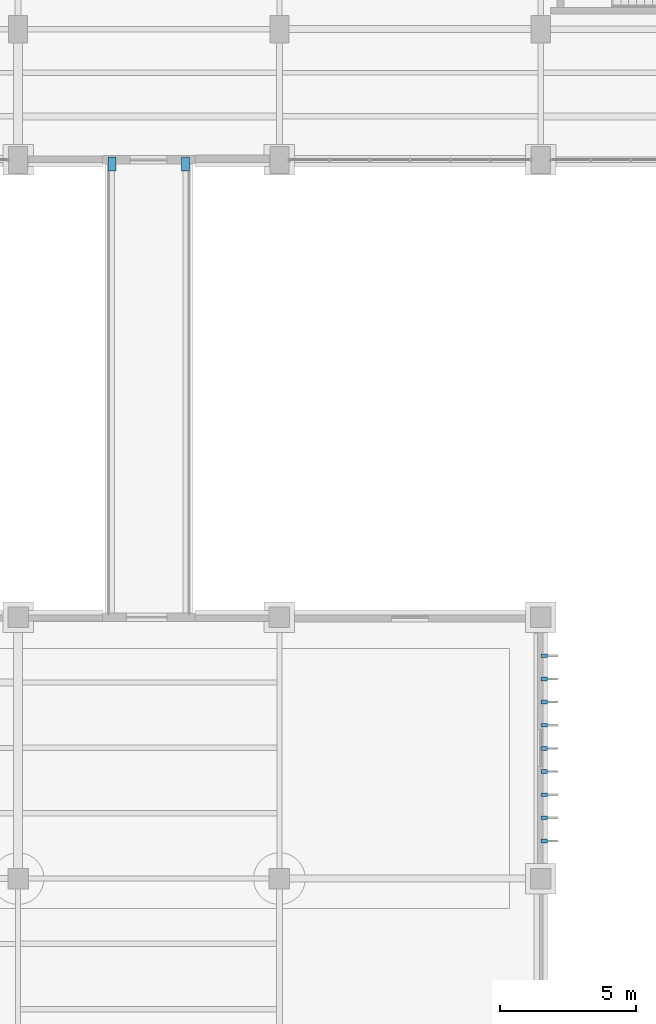
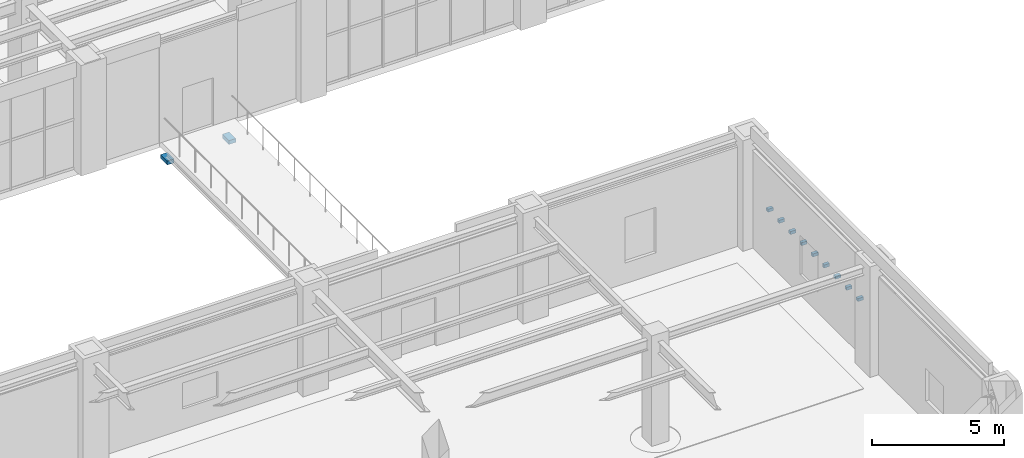
# One storey, part 152 of 174: 11 discrete accessories.
"""IFC4 building model written with IfcOpenShell, lengths in metres."""

from ifc_helpers import new_model, si_unit, direction, frame, origin, origin_2d, place, context, subcontext, project, spatial, rectangle, extrude, material, type_object, element, save


model = new_model("IFC4")

# Units and contexts
model_context = context("Model", 3, precision=1e-05, world=origin(), true_north=direction((0.0, 1.0)))
body_context = subcontext(model_context, "Body", "Model", "MODEL_VIEW")
ifc_project = project(units=[si_unit("LENGTHUNIT", "METRE"), si_unit("AREAUNIT", "SQUARE_METRE"), si_unit("VOLUMEUNIT", "CUBIC_METRE"), si_unit("PLANEANGLEUNIT", "RADIAN"), si_unit("MASSUNIT", "GRAM", prefix="KILO")], contexts=[model_context])

# Site, building, storey
site_placement = place(None, origin())
site = spatial("IfcSite", under=ifc_project, at=site_placement, CompositionType="ELEMENT")
building_placement = place(site_placement, origin())
building = spatial("IfcBuilding", under=site, at=building_placement, Name="Mavantir Sound Aquarium", CompositionType="ELEMENT")
storey_placement = place(building_placement, frame((0.0, 0.0, 5.39990234375)))
storey = spatial("IfcBuildingStorey", under=building, at=storey_placement, Name="L01", CompositionType="ELEMENT", Elevation=5.39990234375)

# Discrete accessories
ifc_material_1 = material(Name="Stainless Steel 316 Marine Facade Bracket", Category="steel")
discrete_accessory_type_1 = type_object("IfcDiscreteAccessoryType", Name="ACC-FIN-BRK", PredefinedType="BRACKET", material=ifc_material_1)
for number, where, z_axis, x_axis, name in (
    (1, (146.52001953125, 10.98291015625, 2.1689453125), (0.0, 0.0, 1.0), (0.0, -1.0, 0.0), "Solar fin stainless anchor bracket 29"),
    (2, (146.52001953125, 11.8330078125, 2.1689453125), (0.0, 0.0, 1.0), (0.0, -1.0, 0.0), "Solar fin stainless anchor bracket 30"),
    (3, (146.52001953125, 12.68310546875, 2.1689453125), (0.0, 0.0, 1.0), (0.0, -1.0, 0.0), "Solar fin stainless anchor bracket 31"),
    (4, (146.52001953125, 13.532958984375, 2.1689453125), (0.0, 0.0, 1.0), (0.0, -1.0, 0.0), "Solar fin stainless anchor bracket 32"),
    (5, (146.52001953125, 14.383056640625, 2.1689453125), (0.0, 0.0, 1.0), (0.0, -1.0, 0.0), "Solar fin stainless anchor bracket 33"),
    (6, (146.52001953125, 15.23291015625, 2.1689453125), (0.0, 0.0, 1.0), (0.0, -1.0, 0.0), "Solar fin stainless anchor bracket 34"),
    (7, (146.52001953125, 16.0830078125, 2.1689453125), (0.0, 0.0, 1.0), (0.0, -1.0, 0.0), "Solar fin stainless anchor bracket 35"),
    (8, (146.52001953125, 16.93310546875, 2.1689453125), (0.0, 0.0, 1.0), (0.0, -1.0, 0.0), "Solar fin stainless anchor bracket 36"),
    (9, (146.52001953125, 17.782958984375, 2.1689453125), (0.0, 0.0, 1.0), (0.0, -1.0, 0.0), "Solar fin stainless anchor bracket 37"),
):
    element("IfcDiscreteAccessory", number, at=place(storey_placement, frame(where, z_axis=z_axis, x_axis=x_axis)), inside=storey, type_object=discrete_accessory_type_1, Name=name, PredefinedType="BRACKET", context=body_context, shape_type="SweptSolid", body=[
        extrude(rectangle(XDim=0.139892578125, YDim=0.239990234375, at=origin_2d()), origin(), (0.0, 0.0, 1.0), 0.139892578125),
    ])
ifc_material_2 = material(Name="PTFE Elastomeric Slide Bearing")
discrete_accessory_type_2 = type_object("IfcDiscreteAccessoryType", Name="ACC-PTFE-SHOE", PredefinedType="SHOE", material=ifc_material_2)
for number, where, z_axis, x_axis, name in (
    (10, (130.64990234375, 35.85009765625, -0.9287109375), (0.0, 0.0, 1.0), (1.0, 0.0, 0.0), "Unguided PTFE slide bearing 4.1"),
    (11, (133.35009765625, 35.85009765625, -0.9287109375), (0.0, 0.0, 1.0), (1.0, 0.0, 0.0), "Unguided PTFE slide bearing 4.2"),
):
    element("IfcDiscreteAccessory", number, at=place(storey_placement, frame(where, z_axis=z_axis, x_axis=x_axis)), inside=storey, type_object=discrete_accessory_type_2, Name=name, PredefinedType="SHOE", context=body_context, shape_type="SweptSolid", body=[
        extrude(rectangle(XDim=0.300048828125, YDim=0.5, at=origin_2d()), origin(), (0.0, 0.0, 1.0), 0.179931640625),
    ])

save(model, "model.ifc")
